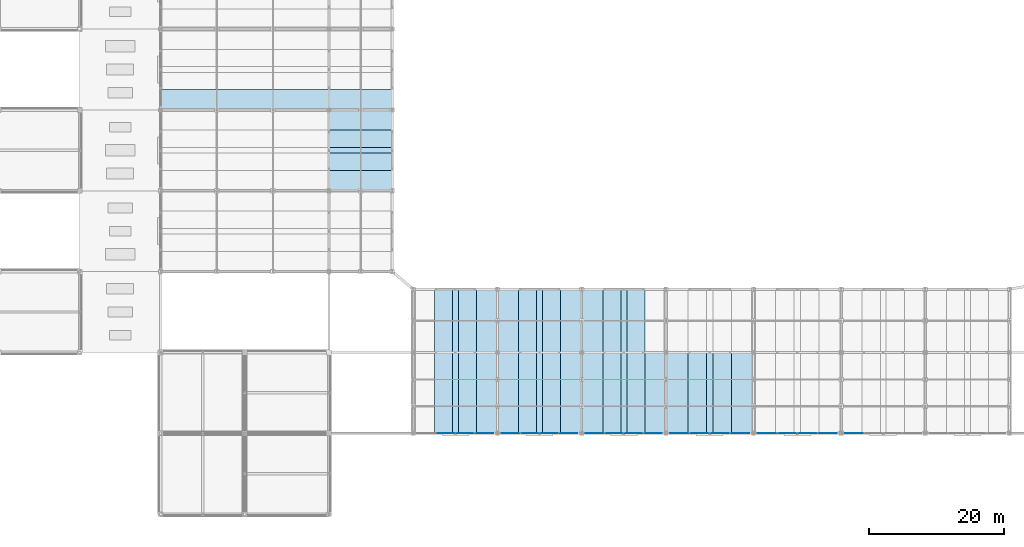
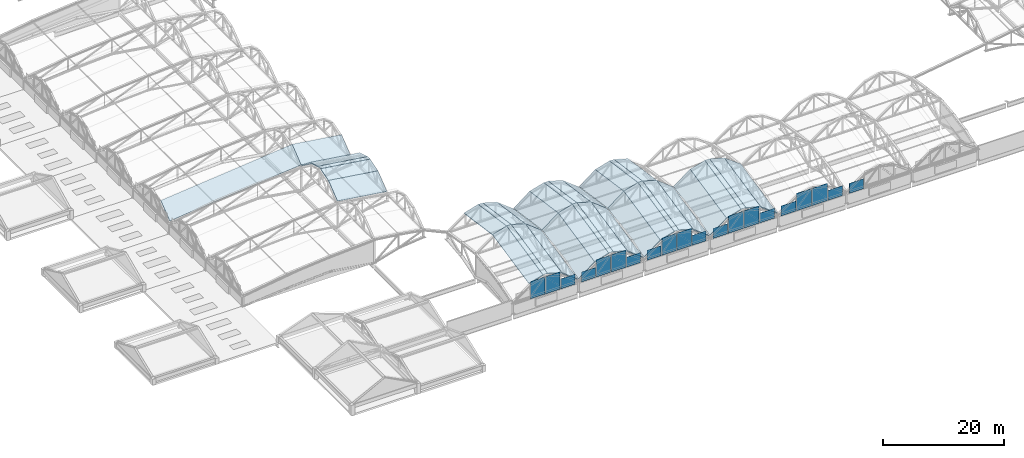
# One storey, part 89 of 117: 31 slabs, 28 plates.
"""IFC4 building model written with IfcOpenShell, lengths in metres."""

from ifc_helpers import new_model, si_unit, direction, frame, origin, origin_2d, place, context, subcontext, project, spatial, polyline, rectangle, outline, extrude, material, layer, layer_set, type_object, element, save


model = new_model("IFC4")

# Units and contexts
model_context = context("Model", 3, precision=1e-05, world=origin(), true_north=direction((0.0, 1.0)))
body_context = subcontext(model_context, "Body", "Model", "MODEL_VIEW")
ifc_project = project(units=[si_unit("LENGTHUNIT", "METRE"), si_unit("AREAUNIT", "SQUARE_METRE"), si_unit("VOLUMEUNIT", "CUBIC_METRE"), si_unit("PLANEANGLEUNIT", "RADIAN"), si_unit("MASSUNIT", "GRAM", prefix="KILO")], contexts=[model_context])

# Site, building, storey
site_placement = place(None, origin())
site = spatial("IfcSite", under=ifc_project, at=site_placement, CompositionType="ELEMENT")
building_placement = place(site_placement, origin())
building = spatial("IfcBuilding", under=site, at=building_placement, Name="Kazenohara Klinker Stadium", CompositionType="ELEMENT")
storey_placement = place(building_placement, frame((0.0, 0.0, 31.199951171875)))
storey = spatial("IfcBuildingStorey", under=building, at=storey_placement, Name="RF", CompositionType="ELEMENT", Elevation=31.199951171875)

# Plates
ifc_material_1 = material(Name="Low-e laminated triple glazing", Category="glass")
ifc_layer_1 = layer(ifc_material_1, 0.0439453125)
ifc_layer_set_1 = layer_set([ifc_layer_1], Name="Low-e laminated triple glazing")
plate_type_1 = type_object("IfcPlateType", Name="PLT-GLZ-CLER", PredefinedType="USERDEFINED", material=ifc_layer_set_1)
for number, where, z_axis, x_axis, name in (
    (1, (66.3125, 24.0, 1.650146484375), (0.0, 0.0, 1.0), (1.0, 0.0, 0.0), "Arched barrel clerestory glazing panel CP02 S-01-Q2"),
    (2, (69.1875, 24.0, 1.650146484375), (0.0, 0.0, 1.0), (1.0, 0.0, 0.0), "Arched barrel clerestory glazing panel CP02 S-01-Q3"),
):
    element("IfcPlate", number, at=place(storey_placement, frame(where, z_axis=z_axis, x_axis=x_axis)), inside=storey, type_object=plate_type_1, Name=name, ObjectType="CLERESTORY GLAZING", PredefinedType="USERDEFINED", context=body_context, shape_type="SweptSolid", body=[
        extrude(rectangle(XDim=2.75, YDim=0.0439453125, at=origin_2d()), origin(), (0.0, 0.0, 1.0), 3.5),
    ])
for number, where, z_axis, x_axis, name in (
    (3, (72.03125, 24.0, 1.650146484375), (0.0, 0.0, 1.0), (1.0, 0.0, 0.0), "Arched barrel clerestory glazing panel CP02 S-01-Q4"),
    (4, (75.96875, 24.0, 1.650146484375), (0.0, 0.0, 1.0), (1.0, 0.0, 0.0), "Arched barrel clerestory glazing panel CP02 S-02-Q1"),
):
    element("IfcPlate", number, at=place(storey_placement, frame(where, z_axis=z_axis, x_axis=x_axis)), inside=storey, type_object=plate_type_1, Name=name, ObjectType="CLERESTORY GLAZING", PredefinedType="USERDEFINED", context=body_context, shape_type="SweptSolid", body=[
        extrude(rectangle(XDim=2.6875, YDim=0.0439453125, at=origin_2d()), origin(), (0.0, 0.0, 1.0), 2.0),
    ])
for number, where, z_axis, x_axis, name in (
    (5, (78.8125, 24.0, 1.650146484375), (0.0, 0.0, 1.0), (1.0, 0.0, 0.0), "Arched barrel clerestory glazing panel CP02 S-02-Q2"),
    (6, (81.6875, 24.0, 1.650146484375), (0.0, 0.0, 1.0), (1.0, 0.0, 0.0), "Arched barrel clerestory glazing panel CP02 S-02-Q3"),
):
    element("IfcPlate", number, at=place(storey_placement, frame(where, z_axis=z_axis, x_axis=x_axis)), inside=storey, type_object=plate_type_1, Name=name, ObjectType="CLERESTORY GLAZING", PredefinedType="USERDEFINED", context=body_context, shape_type="SweptSolid", body=[
        extrude(rectangle(XDim=2.75, YDim=0.0439453125, at=origin_2d()), origin(), (0.0, 0.0, 1.0), 3.5),
    ])
for number, where, z_axis, x_axis, name in (
    (7, (84.53125, 24.0, 1.650146484375), (0.0, 0.0, 1.0), (1.0, 0.0, 0.0), "Arched barrel clerestory glazing panel CP02 S-02-Q4"),
    (8, (88.46875, 24.0, 1.650146484375), (0.0, 0.0, 1.0), (1.0, 0.0, 0.0), "Arched barrel clerestory glazing panel CP02 S-03-Q1"),
):
    element("IfcPlate", number, at=place(storey_placement, frame(where, z_axis=z_axis, x_axis=x_axis)), inside=storey, type_object=plate_type_1, Name=name, ObjectType="CLERESTORY GLAZING", PredefinedType="USERDEFINED", context=body_context, shape_type="SweptSolid", body=[
        extrude(rectangle(XDim=2.6875, YDim=0.0439453125, at=origin_2d()), origin(), (0.0, 0.0, 1.0), 2.0),
    ])
for number, where, z_axis, x_axis, name in (
    (9, (91.3125, 24.0, 1.650146484375), (0.0, 0.0, 1.0), (1.0, 0.0, 0.0), "Arched barrel clerestory glazing panel CP02 S-03-Q2"),
    (10, (94.1875, 24.0, 1.650146484375), (0.0, 0.0, 1.0), (1.0, 0.0, 0.0), "Arched barrel clerestory glazing panel CP02 S-03-Q3"),
):
    element("IfcPlate", number, at=place(storey_placement, frame(where, z_axis=z_axis, x_axis=x_axis)), inside=storey, type_object=plate_type_1, Name=name, ObjectType="CLERESTORY GLAZING", PredefinedType="USERDEFINED", context=body_context, shape_type="SweptSolid", body=[
        extrude(rectangle(XDim=2.75, YDim=0.0439453125, at=origin_2d()), origin(), (0.0, 0.0, 1.0), 3.5),
    ])
plate_1_placement = place(storey_placement, frame((97.03125, 24.0, 1.650146484375), z_axis=(0.0, 0.0, 1.0), x_axis=(1.0, 0.0, 0.0)))
element("IfcPlate", 11, at=plate_1_placement, inside=storey, type_object=plate_type_1, Name="Arched barrel clerestory glazing panel CP02 S-03-Q4", ObjectType="CLERESTORY GLAZING", PredefinedType="USERDEFINED", context=body_context, shape_type="SweptSolid", body=[
    extrude(rectangle(XDim=2.6875, YDim=0.0439453125, at=origin_2d()), origin(), (0.0, 0.0, 1.0), 2.0),
])
plate_2_placement = place(storey_placement, frame((101.047607421875, 24.0, 1.650146484375), z_axis=(0.0, 0.0, 1.0), x_axis=(1.0, 0.0, 0.0)))
element("IfcPlate", 12, at=plate_2_placement, inside=storey, type_object=plate_type_1, Name="Arched barrel clerestory glazing panel CP02 S-04-Q1", ObjectType="CLERESTORY GLAZING", PredefinedType="USERDEFINED", context=body_context, shape_type="SweptSolid", body=[
    extrude(rectangle(XDim=2.794921875, YDim=0.0439453125, at=origin_2d()), origin(), (0.0, 0.0, 1.0), 2.0),
])
for number, where, z_axis, x_axis, name in (
    (13, (104.0048828125, 24.0, 1.650146484375), (0.0, 0.0, 1.0), (1.0, 0.0, 0.0), "Arched barrel clerestory glazing panel CP02 S-04-Q2"),
    (14, (106.9951171875, 24.0, 1.650146484375), (0.0, 0.0, 1.0), (1.0, 0.0, 0.0), "Arched barrel clerestory glazing panel CP02 S-04-Q3"),
):
    element("IfcPlate", number, at=place(storey_placement, frame(where, z_axis=z_axis, x_axis=x_axis)), inside=storey, type_object=plate_type_1, Name=name, ObjectType="CLERESTORY GLAZING", PredefinedType="USERDEFINED", context=body_context, shape_type="SweptSolid", body=[
        extrude(rectangle(XDim=2.860107421875, YDim=0.0439453125, at=origin_2d()), origin(), (0.0, 0.0, 1.0), 3.5),
    ])
for number, where, z_axis, x_axis, name in (
    (15, (109.952392578125, 24.0, 1.650146484375), (0.0, 0.0, 1.0), (1.0, 0.0, 0.0), "Arched barrel clerestory glazing panel CP02 S-04-Q4"),
    (16, (114.047607421875, 24.0, 1.650146484375), (0.0, 0.0, 1.0), (1.0, 0.0, 0.0), "Arched barrel clerestory glazing panel CP02 S-05-Q1"),
):
    element("IfcPlate", number, at=place(storey_placement, frame(where, z_axis=z_axis, x_axis=x_axis)), inside=storey, type_object=plate_type_1, Name=name, ObjectType="CLERESTORY GLAZING", PredefinedType="USERDEFINED", context=body_context, shape_type="SweptSolid", body=[
        extrude(rectangle(XDim=2.794921875, YDim=0.0439453125, at=origin_2d()), origin(), (0.0, 0.0, 1.0), 2.0),
    ])
for number, where, z_axis, x_axis, name in (
    (17, (117.0048828125, 24.0, 1.650146484375), (0.0, 0.0, 1.0), (1.0, 0.0, 0.0), "Arched barrel clerestory glazing panel CP02 S-05-Q2"),
    (18, (119.9951171875, 24.0, 1.650146484375), (0.0, 0.0, 1.0), (1.0, 0.0, 0.0), "Arched barrel clerestory glazing panel CP02 S-05-Q3"),
):
    element("IfcPlate", number, at=place(storey_placement, frame(where, z_axis=z_axis, x_axis=x_axis)), inside=storey, type_object=plate_type_1, Name=name, ObjectType="CLERESTORY GLAZING", PredefinedType="USERDEFINED", context=body_context, shape_type="SweptSolid", body=[
        extrude(rectangle(XDim=2.860107421875, YDim=0.0439453125, at=origin_2d()), origin(), (0.0, 0.0, 1.0), 3.5),
    ])
plate_3_placement = place(storey_placement, frame((122.952392578125, 24.0, 1.650146484375), z_axis=(0.0, 0.0, 1.0), x_axis=(1.0, 0.0, 0.0)))
element("IfcPlate", 19, at=plate_3_placement, inside=storey, type_object=plate_type_1, Name="Arched barrel clerestory glazing panel CP02 S-05-Q4", ObjectType="CLERESTORY GLAZING", PredefinedType="USERDEFINED", context=body_context, shape_type="SweptSolid", body=[
    extrude(rectangle(XDim=2.794921875, YDim=0.0439453125, at=origin_2d()), origin(), (0.0, 0.0, 1.0), 2.0),
])
plate_4_placement = place(storey_placement, frame((126.96875, 24.0, 1.650146484375), z_axis=(0.0, 0.0, 1.0), x_axis=(1.0, 0.0, 0.0)))
element("IfcPlate", 20, at=plate_4_placement, inside=storey, type_object=plate_type_1, Name="Arched barrel clerestory glazing panel CP02 S-06-Q1", ObjectType="CLERESTORY GLAZING", PredefinedType="USERDEFINED", context=body_context, shape_type="SweptSolid", body=[
    extrude(rectangle(XDim=2.6875, YDim=0.0439453125, at=origin_2d()), origin(), (0.0, 0.0, 1.0), 2.0),
])
ifc_material_2 = material(Name="Low-e laminated skylight triple glazing", Category="glass")
ifc_layer_2 = layer(ifc_material_2, 0.048095703125)
ifc_layer_set_2 = layer_set([ifc_layer_2], Name="Low-e laminated skylight triple glazing")
plate_type_2 = type_object("IfcPlateType", Name="PLT-GLZ-VALLEY", PredefinedType="USERDEFINED", material=ifc_layer_set_2)
plate_5_placement = place(storey_placement, frame((49.0, 65.580078125, 8.219970703125), z_axis=(0.142144768244, 0.0, 0.989845879347), x_axis=(0.989845879347, 0.0, -0.142144768244)))
element("IfcPlate", 21, at=plate_5_placement, inside=storey, type_object=plate_type_2, Name="Barrel-shell valley skylight glazing joint SKG1 W-02-IN", ObjectType="SKYLIGHT GLAZING", PredefinedType="USERDEFINED", context=body_context, shape_type="SweptSolid", body=[
    extrude(outline(polyline([(0.0, 0.0), (9.496329216369972, 0.0), (9.496329216369972, 0.83984375), (0.0, 0.83984375), (0.0, 0.0)])), origin(), (0.0, 0.0, -1.0), 0.048095703125),
])
plate_6_placement = place(storey_placement, frame((67.3125, 24.0, 5.670166015625), z_axis=(0.0, -0.207843523042, 0.978162087759), x_axis=(0.0, 0.978162087759, 0.207843523042)))
element("IfcPlate", 22, at=plate_6_placement, inside=storey, type_object=plate_type_2, Name="Barrel-shell valley skylight glazing joint SKG1 S-01-OUT", ObjectType="SKYLIGHT GLAZING", PredefinedType="USERDEFINED", context=body_context, shape_type="SweptSolid", body=[
    extrude(outline(polyline([(0.0, 0.0), (12.26790544242973, 0.0), (12.26790544242973, -0.875), (0.0, -0.875), (0.0, 0.0)])), origin(), (0.0, 0.0, -1.0), 0.048095703125),
])
plate_7_placement = place(storey_placement, frame((67.3125, 36.0, 8.219970703125), z_axis=(0.0, 0.142144768244, 0.989845879347), x_axis=(0.0, 0.989845879347, -0.142144768244)))
element("IfcPlate", 23, at=plate_7_placement, inside=storey, type_object=plate_type_2, Name="Barrel-shell valley skylight glazing joint SKG1 S-01-IN", ObjectType="SKYLIGHT GLAZING", PredefinedType="USERDEFINED", context=body_context, shape_type="SweptSolid", body=[
    extrude(outline(polyline([(0.0, 0.0), (9.496329216369972, 0.0), (9.496329216369972, -0.875), (0.0, -0.875), (0.0, 0.0)])), origin(), (0.0, 0.0, -1.0), 0.048095703125),
])
plate_8_placement = place(storey_placement, frame((79.8125, 24.0, 5.670166015625), z_axis=(0.0, -0.207843523042, 0.978162087759), x_axis=(0.0, 0.978162087759, 0.207843523042)))
element("IfcPlate", 24, at=plate_8_placement, inside=storey, type_object=plate_type_2, Name="Barrel-shell valley skylight glazing joint SKG1 S-02-OUT", ObjectType="SKYLIGHT GLAZING", PredefinedType="USERDEFINED", context=body_context, shape_type="SweptSolid", body=[
    extrude(outline(polyline([(0.0, 0.0), (12.26790544242973, 0.0), (12.26790544242973, -0.875), (0.0, -0.875), (0.0, 0.0)])), origin(), (0.0, 0.0, -1.0), 0.048095703125),
])
plate_9_placement = place(storey_placement, frame((79.8125, 36.0, 8.219970703125), z_axis=(0.0, 0.142144768244, 0.989845879347), x_axis=(0.0, 0.989845879347, -0.142144768244)))
element("IfcPlate", 25, at=plate_9_placement, inside=storey, type_object=plate_type_2, Name="Barrel-shell valley skylight glazing joint SKG1 S-02-IN", ObjectType="SKYLIGHT GLAZING", PredefinedType="USERDEFINED", context=body_context, shape_type="SweptSolid", body=[
    extrude(outline(polyline([(0.0, 0.0), (9.496329216369972, 0.0), (9.496329216369972, -0.875), (0.0, -0.875), (0.0, 0.0)])), origin(), (0.0, 0.0, -1.0), 0.048095703125),
])
plate_10_placement = place(storey_placement, frame((92.3125, 24.0, 5.670166015625), z_axis=(0.0, -0.207843523042, 0.978162087759), x_axis=(0.0, 0.978162087759, 0.207843523042)))
element("IfcPlate", 26, at=plate_10_placement, inside=storey, type_object=plate_type_2, Name="Barrel-shell valley skylight glazing joint SKG1 S-03-OUT", ObjectType="SKYLIGHT GLAZING", PredefinedType="USERDEFINED", context=body_context, shape_type="SweptSolid", body=[
    extrude(outline(polyline([(0.0, 0.0), (12.26790544242973, 0.0), (12.26790544242973, -0.875), (0.0, -0.875), (0.0, 0.0)])), origin(), (0.0, 0.0, -1.0), 0.048095703125),
])
plate_11_placement = place(storey_placement, frame((92.3125, 36.0, 8.219970703125), z_axis=(0.0, 0.142144768244, 0.989845879347), x_axis=(0.0, 0.989845879347, -0.142144768244)))
element("IfcPlate", 27, at=plate_11_placement, inside=storey, type_object=plate_type_2, Name="Barrel-shell valley skylight glazing joint SKG1 S-03-IN", ObjectType="SKYLIGHT GLAZING", PredefinedType="USERDEFINED", context=body_context, shape_type="SweptSolid", body=[
    extrude(outline(polyline([(0.0, 0.0), (9.496329216369972, 0.0), (9.496329216369972, -0.875), (0.0, -0.875), (0.0, 0.0)])), origin(), (0.0, 0.0, -1.0), 0.048095703125),
])
plate_12_placement = place(storey_placement, frame((105.044921875, 24.0, 5.670166015625), z_axis=(0.0, -0.207843523042, 0.978162087759), x_axis=(0.0, 0.978162087759, 0.207843523042)))
element("IfcPlate", 28, at=plate_12_placement, inside=storey, type_object=plate_type_2, Name="Barrel-shell valley skylight glazing joint SKG1 S-04-OUT", ObjectType="SKYLIGHT GLAZING", PredefinedType="USERDEFINED", context=body_context, shape_type="SweptSolid", body=[
    extrude(outline(polyline([(0.0, 0.0), (12.26790544242973, 0.0), (12.26790544242973, -0.91015625), (0.0, -0.91015625), (0.0, 0.0)])), origin(), (0.0, 0.0, -1.0), 0.048095703125),
])

# Slabs
ifc_material_3 = material(Name="Steel S355", Category="steel")
ifc_layer_3 = layer(ifc_material_3, 0.18994140625)
ifc_layer_set_3 = layer_set([ifc_layer_3], Name="Steel S355")
slab_type = type_object("IfcSlabType", Name="SLB-ROOF-190", PredefinedType="ROOF", material=ifc_layer_set_3)
slab_1_placement = place(storey_placement, frame((49.0, 60.06005859375, 5.068115234375), z_axis=(0.111454741468, -0.620818608848, 0.775991040871), x_axis=(0.989842261755, 0.0, -0.1421699576)))
element("IfcSlab", 29, at=slab_1_placement, inside=storey, type_object=slab_type, Name="Scalloped barrel-arch canopy slab W-02 inner strip 1", PredefinedType="ROOF", context=body_context, shape_type="SweptSolid", body=[
    extrude(outline(polyline([(0.0, 0.0), (9.496363922757409, 0.0), (9.16197296291469, 3.750144135328325), (-0.33439095984271777, 3.750144135328325), (0.0, 0.0)])), origin(), (0.0, 0.0, -1.0), 0.18994140625),
])
slab_2_placement = place(storey_placement, frame((49.0, 63.0, 7.420166015625), z_axis=(0.136061259308, -0.289700944037, 0.947396800047), x_axis=(0.989843918815, -3.528048e-06, -0.142158419982)))
element("IfcSlab", 30, at=slab_2_placement, inside=storey, type_object=slab_type, Name="Scalloped barrel-arch canopy slab W-02 inner strip 2", PredefinedType="ROOF", context=body_context, shape_type="SweptSolid", body=[
    extrude(outline(polyline([(0.0, 0.0), (9.49636392205321, 0.0), (9.382621015480932, 2.733207446859171), (-0.11370819992677195, 2.733137437523795), (0.0, 0.0)])), origin(), (0.0, 0.0, -1.0), 0.18994140625),
])
slab_3_placement = place(storey_placement, frame((49.0, 66.384033203125, 8.219970703125), z_axis=(0.136061259308, 0.289700944037, 0.947396800047), x_axis=(0.989844222428, -3.528061e-06, -0.142156305924)))
element("IfcSlab", 31, at=slab_3_placement, inside=storey, type_object=slab_type, Name="Scalloped barrel-arch canopy slab W-02 inner strip 3", PredefinedType="ROOF", context=body_context, shape_type="SweptSolid", body=[
    extrude(outline(polyline([(0.0, 0.0), (9.496329215665769, 1.1102230246251565e-16), (9.61005197233993, 2.7332082853263064), (0.11368805054478547, 2.7331382757350666), (0.0, 0.0)])), origin(), (0.0, 0.0, -1.0), 0.18994140625),
])
slab_4_placement = place(storey_placement, frame((49.0, 69.0, 7.420166015625), z_axis=(0.111454741468, 0.620818608848, 0.775991040871), x_axis=(0.989842261755, 0.0, -0.1421699576)))
element("IfcSlab", 32, at=slab_4_placement, inside=storey, type_object=slab_type, Name="Scalloped barrel-arch canopy slab W-02 inner strip 4", PredefinedType="ROOF", context=body_context, shape_type="SweptSolid", body=[
    extrude(outline(polyline([(0.0, 0.0), (9.496363922757409, 0.0), (9.830754882600127, 3.750144135328325), (0.33439095984271777, 3.750144135328325), (0.0, 0.0)])), origin(), (0.0, 0.0, -1.0), 0.18994140625),
])
slab_5_placement = place(storey_placement, frame((24.0, 72.06005859375, 2.51806640625), z_axis=(-0.079397405078, -0.622738677702, 0.778391027287), x_axis=(0.994838046303, 0.0, 0.101475423766)))
element("IfcSlab", 33, at=slab_5_placement, inside=storey, type_object=slab_type, Name="Scalloped barrel-arch canopy slab W-03 outer strip 1", PredefinedType="ROOF", context=body_context, shape_type="SweptSolid", body=[
    extrude(outline(polyline([(0.0, 0.0), (25.129718443027205, 0.0), (25.368393792773563, 3.757450256115897), (0.2386753497463593, 3.757450256115897), (0.0, 0.0)])), origin(), (0.0, 0.0, -1.0), 0.18994140625),
])
slab_6_placement = place(storey_placement, frame((49.0, 72.06005859375, 5.068115234375), z_axis=(0.111454741468, -0.620818608848, 0.775991040871), x_axis=(0.989842261755, 0.0, -0.1421699576)))
element("IfcSlab", 34, at=slab_6_placement, inside=storey, type_object=slab_type, Name="Scalloped barrel-arch canopy slab W-03 inner strip 1", PredefinedType="ROOF", context=body_context, shape_type="SweptSolid", body=[
    extrude(outline(polyline([(0.0, 0.0), (9.496363922757409, 0.0), (9.16197296291469, 3.750144135328325), (-0.33439095984271777, 3.750144135328325), (0.0, 0.0)])), origin(), (0.0, 0.0, -1.0), 0.18994140625),
])
slab_7_placement = place(storey_placement, frame((64.625, 24.0, 4.8701171875), z_axis=(-0.275978642066, -0.199780814547, 0.940172013656), x_axis=(2.581788e-06, 0.978159910672, 0.207853768663)))
element("IfcSlab", 35, at=slab_7_placement, inside=storey, type_object=slab_type, Name="Scalloped barrel-arch canopy slab S-01 outer strip 2", PredefinedType="ROOF", context=body_context, shape_type="SweptSolid", body=[
    extrude(outline(polyline([(0.0, 0.0), (12.267956187264863, 1.1102230246251565e-16), (12.43420564138151, -2.835172989445379), (0.16630019966563842, -2.835238895384851), (0.0, 0.0)])), origin(), (0.0, 0.0, -1.0), 0.18994140625),
])
slab_8_placement = place(storey_placement, frame((64.625, 36.0, 7.420166015625), z_axis=(-0.279019930215, 0.136511627499, 0.950532721215), x_axis=(-3.40922e-06, 0.989843929803, -0.142158343476)))
element("IfcSlab", 36, at=slab_8_placement, inside=storey, type_object=slab_type, Name="Scalloped barrel-arch canopy slab S-01 inner strip 2", PredefinedType="ROOF", context=body_context, shape_type="SweptSolid", body=[
    extrude(outline(polyline([(0.0, 0.0), (9.496363922048538, 5.551115123125783e-17), (9.382621015485547, -2.837833311036194), (-0.11370819993616703, -2.8377658828821857), (0.0, 0.0)])), origin(), (0.0, 0.0, -1.0), 0.18994140625),
])
slab_9_placement = place(storey_placement, frame((68.14990234375, 24.0, 5.670166015625), z_axis=(0.275978642066, -0.199780814547, 0.940172013656), x_axis=(2.581799e-06, 0.978160218839, 0.207852318424)))
element("IfcSlab", 37, at=slab_9_placement, inside=storey, type_object=slab_type, Name="Scalloped barrel-arch canopy slab S-01 outer strip 3", PredefinedType="ROOF", context=body_context, shape_type="SweptSolid", body=[
    extrude(outline(polyline([(0.0, 0.0), (12.267905441892902, 0.0), (12.101671218963823, -2.83517388253382), (-0.16628496812400692, -2.835239788745908), (0.0, 0.0)])), origin(), (0.0, 0.0, -1.0), 0.18994140625),
])
slab_10_placement = place(storey_placement, frame((68.14990234375, 36.0, 8.219970703125), z_axis=(0.279019930215, 0.136511627499, 0.950532721215), x_axis=(-3.409232e-06, 0.989844211441, -0.142156382431)))
element("IfcSlab", 38, at=slab_10_placement, inside=storey, type_object=slab_type, Name="Scalloped barrel-arch canopy slab S-01 inner strip 3", PredefinedType="ROOF", context=body_context, shape_type="SweptSolid", body=[
    extrude(outline(polyline([(0.0, 0.0), (9.496329215661099, -1.1102230246251565e-16), (9.610051972344655, -2.837834118589799), (0.11368805053550218, -2.8377666901893592), (0.0, 0.0)])), origin(), (0.0, 0.0, -1.0), 0.18994140625),
])
slab_11_placement = place(storey_placement, frame((70.875, 24.0, 4.8701171875), z_axis=(0.600635128848, -0.166190954627, 0.782060105487), x_axis=(0.0, 0.978158041674, 0.207862563991)))
element("IfcSlab", 39, at=slab_11_placement, inside=storey, type_object=slab_type, Name="Scalloped barrel-arch canopy slab S-01 outer strip 4", PredefinedType="ROOF", context=body_context, shape_type="SweptSolid", body=[
    extrude(outline(polyline([(0.0, 0.0), (12.267956187801687, 0.0), (11.779052881774163, -3.8304076395253412), (-0.48890330602752313, -3.8304076395253412), (0.0, 0.0)])), origin(), (0.0, 0.0, -1.0), 0.18994140625),
])
slab_12_placement = place(storey_placement, frame((70.875, 36.0, 7.420166015625), z_axis=(0.605191890352, 0.113178607114, 0.787993260595), x_axis=(0.0, 0.989842261755, -0.1421699576)))
element("IfcSlab", 40, at=slab_12_placement, inside=storey, type_object=slab_type, Name="Scalloped barrel-arch canopy slab S-01 inner strip 4", PredefinedType="ROOF", context=body_context, shape_type="SweptSolid", body=[
    extrude(outline(polyline([(0.0, 0.0), (9.496363922757409, 1.1102230246251565e-16), (9.830754882600127, -3.8469769707595334), (0.33439095984271777, -3.846976970759534), (0.0, 0.0)])), origin(), (0.0, 0.0, -1.0), 0.18994140625),
])
slab_13_placement = place(storey_placement, frame((74.0625, 24.0, 2.51806640625), z_axis=(-0.600635128848, -0.166190954627, 0.782060105487), x_axis=(0.0, 0.978158041674, 0.207862563991)))
element("IfcSlab", 41, at=slab_13_placement, inside=storey, type_object=slab_type, Name="Scalloped barrel-arch canopy slab S-02 outer strip 1", PredefinedType="ROOF", context=body_context, shape_type="SweptSolid", body=[
    extrude(outline(polyline([(0.0, 0.0), (12.267956187801687, 0.0), (12.75685949382921, -3.8304076395253412), (0.48890330602752313, -3.8304076395253412), (0.0, 0.0)])), origin(), (0.0, 0.0, -1.0), 0.18994140625),
])
slab_14_placement = place(storey_placement, frame((74.0625, 36.0, 5.068115234375), z_axis=(-0.605191890352, 0.113178607114, 0.787993260595), x_axis=(0.0, 0.989842261755, -0.1421699576)))
element("IfcSlab", 42, at=slab_14_placement, inside=storey, type_object=slab_type, Name="Scalloped barrel-arch canopy slab S-02 inner strip 1", PredefinedType="ROOF", context=body_context, shape_type="SweptSolid", body=[
    extrude(outline(polyline([(0.0, 0.0), (9.496363922757409, -1.1102230246251565e-16), (9.16197296291469, -3.846976970759534), (-0.33439095984271777, -3.846976970759534), (0.0, 0.0)])), origin(), (0.0, 0.0, -1.0), 0.18994140625),
])
slab_15_placement = place(storey_placement, frame((77.125, 24.0, 4.8701171875), z_axis=(-0.275978642066, -0.199780814547, 0.940172013656), x_axis=(2.581788e-06, 0.978159910672, 0.207853768663)))
element("IfcSlab", 43, at=slab_15_placement, inside=storey, type_object=slab_type, Name="Scalloped barrel-arch canopy slab S-02 outer strip 2", PredefinedType="ROOF", context=body_context, shape_type="SweptSolid", body=[
    extrude(outline(polyline([(0.0, 0.0), (12.267956187264863, 1.1102230246251565e-16), (12.43420564138151, -2.835172989445379), (0.16630019966563842, -2.835238895384851), (0.0, 0.0)])), origin(), (0.0, 0.0, -1.0), 0.18994140625),
])
slab_16_placement = place(storey_placement, frame((77.125, 36.0, 7.420166015625), z_axis=(-0.279019930215, 0.136511627499, 0.950532721215), x_axis=(-3.40922e-06, 0.989843929803, -0.142158343476)))
element("IfcSlab", 44, at=slab_16_placement, inside=storey, type_object=slab_type, Name="Scalloped barrel-arch canopy slab S-02 inner strip 2", PredefinedType="ROOF", context=body_context, shape_type="SweptSolid", body=[
    extrude(outline(polyline([(0.0, 0.0), (9.496363922048538, 5.551115123125783e-17), (9.382621015485547, -2.837833311036194), (-0.11370819993616703, -2.8377658828821857), (0.0, 0.0)])), origin(), (0.0, 0.0, -1.0), 0.18994140625),
])
slab_17_placement = place(storey_placement, frame((80.64990234375, 24.0, 5.670166015625), z_axis=(0.275978642066, -0.199780814547, 0.940172013656), x_axis=(2.581799e-06, 0.978160218839, 0.207852318424)))
element("IfcSlab", 45, at=slab_17_placement, inside=storey, type_object=slab_type, Name="Scalloped barrel-arch canopy slab S-02 outer strip 3", PredefinedType="ROOF", context=body_context, shape_type="SweptSolid", body=[
    extrude(outline(polyline([(0.0, 0.0), (12.267905441892902, 0.0), (12.101671218963823, -2.83517388253382), (-0.16628496812400692, -2.835239788745908), (0.0, 0.0)])), origin(), (0.0, 0.0, -1.0), 0.18994140625),
])
slab_18_placement = place(storey_placement, frame((80.64990234375, 36.0, 8.219970703125), z_axis=(0.279019930215, 0.136511627499, 0.950532721215), x_axis=(-3.409232e-06, 0.989844211441, -0.142156382431)))
element("IfcSlab", 46, at=slab_18_placement, inside=storey, type_object=slab_type, Name="Scalloped barrel-arch canopy slab S-02 inner strip 3", PredefinedType="ROOF", context=body_context, shape_type="SweptSolid", body=[
    extrude(outline(polyline([(0.0, 0.0), (9.496329215661099, -1.1102230246251565e-16), (9.610051972344655, -2.837834118589799), (0.11368805053550218, -2.8377666901893592), (0.0, 0.0)])), origin(), (0.0, 0.0, -1.0), 0.18994140625),
])
slab_19_placement = place(storey_placement, frame((83.375, 24.0, 4.8701171875), z_axis=(0.600635128848, -0.166190954627, 0.782060105487), x_axis=(0.0, 0.978158041674, 0.207862563991)))
element("IfcSlab", 47, at=slab_19_placement, inside=storey, type_object=slab_type, Name="Scalloped barrel-arch canopy slab S-02 outer strip 4", PredefinedType="ROOF", context=body_context, shape_type="SweptSolid", body=[
    extrude(outline(polyline([(0.0, 0.0), (12.267956187801687, 0.0), (11.779052881774163, -3.8304076395253412), (-0.48890330602752313, -3.8304076395253412), (0.0, 0.0)])), origin(), (0.0, 0.0, -1.0), 0.18994140625),
])
slab_20_placement = place(storey_placement, frame((83.375, 36.0, 7.420166015625), z_axis=(0.605191890352, 0.113178607114, 0.787993260595), x_axis=(0.0, 0.989842261755, -0.1421699576)))
element("IfcSlab", 48, at=slab_20_placement, inside=storey, type_object=slab_type, Name="Scalloped barrel-arch canopy slab S-02 inner strip 4", PredefinedType="ROOF", context=body_context, shape_type="SweptSolid", body=[
    extrude(outline(polyline([(0.0, 0.0), (9.496363922757409, 1.1102230246251565e-16), (9.830754882600127, -3.8469769707595334), (0.33439095984271777, -3.846976970759534), (0.0, 0.0)])), origin(), (0.0, 0.0, -1.0), 0.18994140625),
])
slab_21_placement = place(storey_placement, frame((86.5625, 24.0, 2.51806640625), z_axis=(-0.600635128848, -0.166190954627, 0.782060105487), x_axis=(0.0, 0.978158041674, 0.207862563991)))
element("IfcSlab", 49, at=slab_21_placement, inside=storey, type_object=slab_type, Name="Scalloped barrel-arch canopy slab S-03 outer strip 1", PredefinedType="ROOF", context=body_context, shape_type="SweptSolid", body=[
    extrude(outline(polyline([(0.0, 0.0), (12.267956187801687, 0.0), (12.75685949382921, -3.8304076395253412), (0.48890330602752313, -3.8304076395253412), (0.0, 0.0)])), origin(), (0.0, 0.0, -1.0), 0.18994140625),
])
slab_22_placement = place(storey_placement, frame((86.5625, 36.0, 5.068115234375), z_axis=(-0.605191890352, 0.113178607114, 0.787993260595), x_axis=(0.0, 0.989842261755, -0.1421699576)))
element("IfcSlab", 50, at=slab_22_placement, inside=storey, type_object=slab_type, Name="Scalloped barrel-arch canopy slab S-03 inner strip 1", PredefinedType="ROOF", context=body_context, shape_type="SweptSolid", body=[
    extrude(outline(polyline([(0.0, 0.0), (9.496363922757409, -1.1102230246251565e-16), (9.16197296291469, -3.846976970759534), (-0.33439095984271777, -3.846976970759534), (0.0, 0.0)])), origin(), (0.0, 0.0, -1.0), 0.18994140625),
])
slab_23_placement = place(storey_placement, frame((89.625, 24.0, 4.8701171875), z_axis=(-0.275978642066, -0.199780814547, 0.940172013656), x_axis=(2.581788e-06, 0.978159910672, 0.207853768663)))
element("IfcSlab", 51, at=slab_23_placement, inside=storey, type_object=slab_type, Name="Scalloped barrel-arch canopy slab S-03 outer strip 2", PredefinedType="ROOF", context=body_context, shape_type="SweptSolid", body=[
    extrude(outline(polyline([(0.0, 0.0), (12.267956187264863, 1.1102230246251565e-16), (12.43420564138151, -2.835172989445379), (0.16630019966563842, -2.835238895384851), (0.0, 0.0)])), origin(), (0.0, 0.0, -1.0), 0.18994140625),
])
slab_24_placement = place(storey_placement, frame((89.625, 36.0, 7.420166015625), z_axis=(-0.279019930215, 0.136511627499, 0.950532721215), x_axis=(-3.40922e-06, 0.989843929803, -0.142158343476)))
element("IfcSlab", 52, at=slab_24_placement, inside=storey, type_object=slab_type, Name="Scalloped barrel-arch canopy slab S-03 inner strip 2", PredefinedType="ROOF", context=body_context, shape_type="SweptSolid", body=[
    extrude(outline(polyline([(0.0, 0.0), (9.496363922048538, 5.551115123125783e-17), (9.382621015485547, -2.837833311036194), (-0.11370819993616703, -2.8377658828821857), (0.0, 0.0)])), origin(), (0.0, 0.0, -1.0), 0.18994140625),
])
slab_25_placement = place(storey_placement, frame((93.14990234375, 24.0, 5.670166015625), z_axis=(0.275978642066, -0.199780814547, 0.940172013656), x_axis=(2.581799e-06, 0.978160218839, 0.207852318424)))
element("IfcSlab", 53, at=slab_25_placement, inside=storey, type_object=slab_type, Name="Scalloped barrel-arch canopy slab S-03 outer strip 3", PredefinedType="ROOF", context=body_context, shape_type="SweptSolid", body=[
    extrude(outline(polyline([(0.0, 0.0), (12.267905441892902, 0.0), (12.101671218963823, -2.83517388253382), (-0.16628496812400692, -2.835239788745908), (0.0, 0.0)])), origin(), (0.0, 0.0, -1.0), 0.18994140625),
])
slab_26_placement = place(storey_placement, frame((93.14990234375, 36.0, 8.219970703125), z_axis=(0.279019930215, 0.136511627499, 0.950532721215), x_axis=(-3.409232e-06, 0.989844211441, -0.142156382431)))
element("IfcSlab", 54, at=slab_26_placement, inside=storey, type_object=slab_type, Name="Scalloped barrel-arch canopy slab S-03 inner strip 3", PredefinedType="ROOF", context=body_context, shape_type="SweptSolid", body=[
    extrude(outline(polyline([(0.0, 0.0), (9.496329215661099, -1.1102230246251565e-16), (9.610051972344655, -2.837834118589799), (0.11368805053550218, -2.8377666901893592), (0.0, 0.0)])), origin(), (0.0, 0.0, -1.0), 0.18994140625),
])
slab_27_placement = place(storey_placement, frame((95.875, 24.0, 4.8701171875), z_axis=(0.600635128848, -0.166190954627, 0.782060105487), x_axis=(0.0, 0.978158041674, 0.207862563991)))
element("IfcSlab", 55, at=slab_27_placement, inside=storey, type_object=slab_type, Name="Scalloped barrel-arch canopy slab S-03 outer strip 4", PredefinedType="ROOF", context=body_context, shape_type="SweptSolid", body=[
    extrude(outline(polyline([(0.0, 0.0), (12.267956187801687, 0.0), (11.779052881774163, -3.8304076395253412), (-0.48890330602752313, -3.8304076395253412), (0.0, 0.0)])), origin(), (0.0, 0.0, -1.0), 0.18994140625),
])
slab_28_placement = place(storey_placement, frame((99.06494140625, 24.0, 2.51806640625), z_axis=(-0.585550314677, -0.168500890819, 0.79293018531), x_axis=(0.0, 0.978158041674, 0.207862563991)))
element("IfcSlab", 56, at=slab_28_placement, inside=storey, type_object=slab_type, Name="Scalloped barrel-arch canopy slab S-04 outer strip 1", PredefinedType="ROOF", context=body_context, shape_type="SweptSolid", body=[
    extrude(outline(polyline([(0.0, 0.0), (12.267956187801687, 2.220446049250313e-16), (12.75685949382921, -3.929085730873637), (0.48890330602752313, -3.929085730873637), (0.0, 0.0)])), origin(), (0.0, 0.0, -1.0), 0.18994140625),
])
slab_29_placement = place(storey_placement, frame((102.25, 24.0, 4.8701171875), z_axis=(-0.266140012062, -0.200356695204, 0.942882118118), x_axis=(2.496925e-06, 0.978159921463, 0.207853717884)))
element("IfcSlab", 57, at=slab_29_placement, inside=storey, type_object=slab_type, Name="Scalloped barrel-arch canopy slab S-04 outer strip 2", PredefinedType="ROOF", context=body_context, shape_type="SweptSolid", body=[
    extrude(outline(polyline([(0.0, 0.0), (12.267956187261762, 0.0), (12.43420564138465, -2.9399857281366906), (0.16630019965948178, -2.940049284531471), (0.0, 0.0)])), origin(), (0.0, 0.0, -1.0), 0.18994140625),
])
slab_30_placement = place(storey_placement, frame((105.916015625, 24.0, 5.670166015625), z_axis=(0.266140012062, -0.200356695204, 0.942882118118), x_axis=(2.496935e-06, 0.978160208049, 0.207852369204)))
element("IfcSlab", 58, at=slab_30_placement, inside=storey, type_object=slab_type, Name="Scalloped barrel-arch canopy slab S-04 outer strip 3", PredefinedType="ROOF", context=body_context, shape_type="SweptSolid", body=[
    extrude(outline(polyline([(0.0, 0.0), (12.267905441889804, -1.1102230246251565e-16), (12.101671218966882, -2.9399865893865567), (-0.1662849681302476, -2.940050146044234), (0.0, 0.0)])), origin(), (0.0, 0.0, -1.0), 0.18994140625),
])
slab_31_placement = place(storey_placement, frame((108.75, 24.0, 4.8701171875), z_axis=(0.585550314677, -0.168500890819, 0.79293018531), x_axis=(0.0, 0.978158041674, 0.207862563991)))
element("IfcSlab", 59, at=slab_31_placement, inside=storey, type_object=slab_type, Name="Scalloped barrel-arch canopy slab S-04 outer strip 4", PredefinedType="ROOF", context=body_context, shape_type="SweptSolid", body=[
    extrude(outline(polyline([(0.0, 0.0), (12.267956187801687, -2.220446049250313e-16), (11.779052881774163, -3.9290857308736378), (-0.48890330602752313, -3.929085730873637), (0.0, 0.0)])), origin(), (0.0, 0.0, -1.0), 0.18994140625),
])

save(model, "model.ifc")
